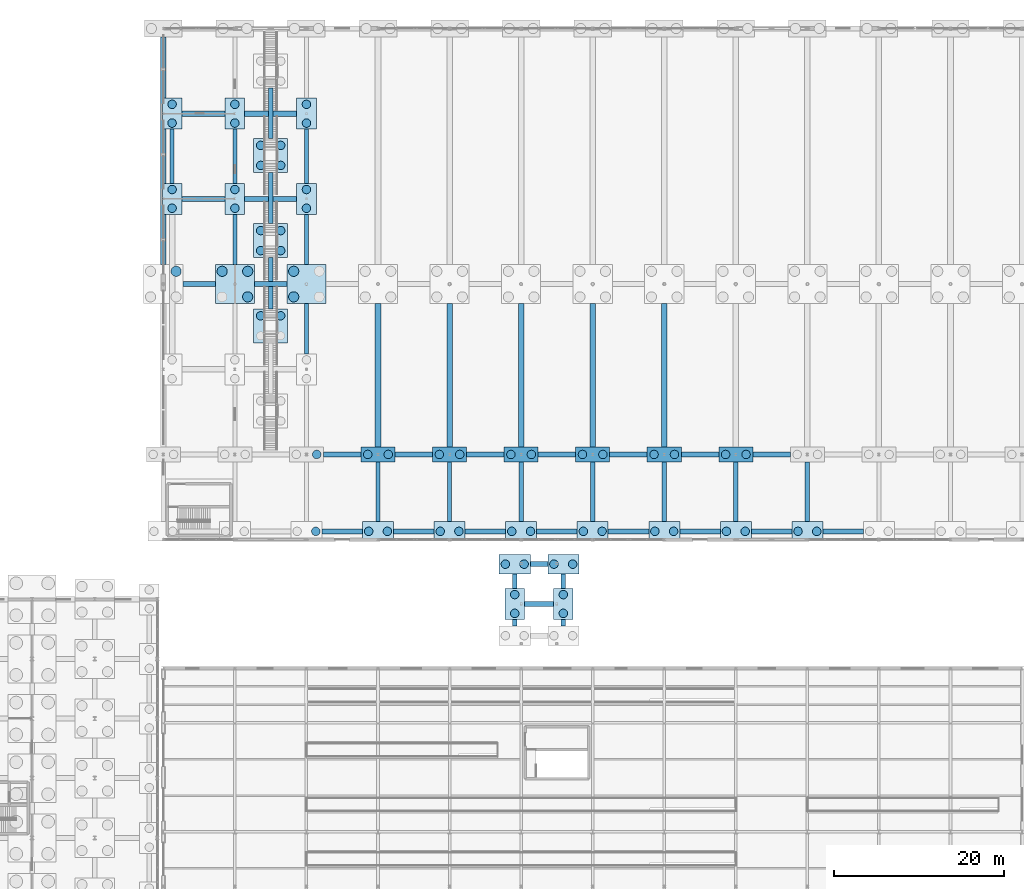
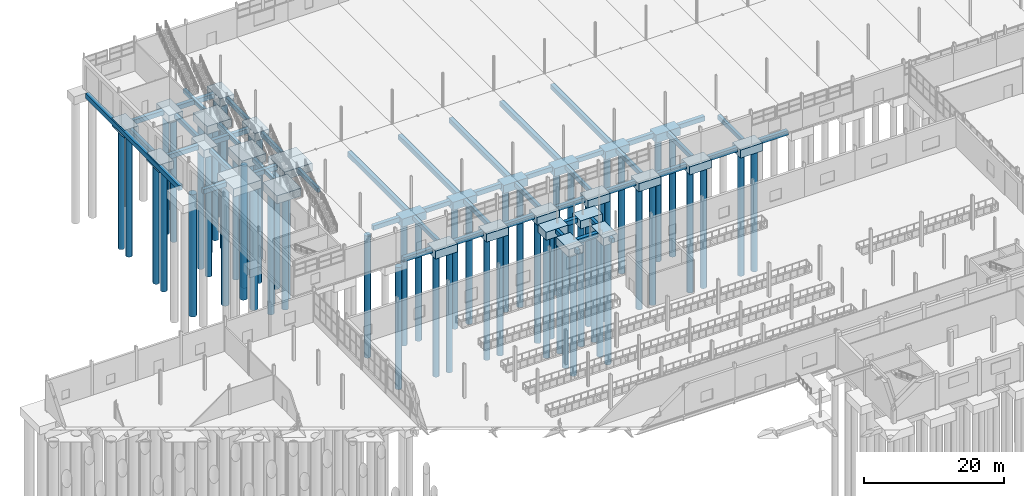
# One storey, part 5 of 139: 77 footings, 64 piles.
"""IFC4 building model written with IfcOpenShell, lengths in metres."""

from ifc_helpers import new_model, si_unit, direction, frame, origin, origin_2d, place, context, subcontext, project, spatial, polyline, rectangle, circle, outline, extrude, material, material_profile, profile_set, type_object, element, save


model = new_model("IFC4")

# Units and contexts
model_context = context("Model", 3, precision=1e-05, world=origin(), true_north=direction((0.0, 1.0)))
body_context = subcontext(model_context, "Body", "Model", "MODEL_VIEW")
ifc_project = project(units=[si_unit("LENGTHUNIT", "METRE"), si_unit("AREAUNIT", "SQUARE_METRE"), si_unit("VOLUMEUNIT", "CUBIC_METRE"), si_unit("PLANEANGLEUNIT", "RADIAN"), si_unit("MASSUNIT", "GRAM", prefix="KILO")], contexts=[model_context])

# Site, building, storey
site_placement = place(None, origin())
site = spatial("IfcSite", under=ifc_project, at=site_placement, CompositionType="ELEMENT")
building_placement = place(site_placement, origin())
building = spatial("IfcBuilding", under=site, at=building_placement, Name="Kazenagashi Tramway Depot", CompositionType="ELEMENT")
storey_placement = place(building_placement, origin())
storey = spatial("IfcBuildingStorey", under=building, at=storey_placement, Name="L01", CompositionType="ELEMENT", Elevation=0.0)

# Piles
ifc_material = material(Name="Concrete Fc30", Category="concrete")
ifc_material_profile_1 = material_profile(ifc_material, circle(Radius=0.5, at=origin_2d()), Name="PILE-1000")
ifc_profile_set_1 = profile_set([ifc_material_profile_1], Name="Concrete Fc30")
pile_type_1 = type_object("IfcPileType", Name="BP-01", PredefinedType="BORED", material=ifc_profile_set_1)
for number, where, z_axis, x_axis, name in (
    (1, (62.7, 70.975, -1.65), (0.0, 0.0, -1.0), (1.0, 0.0, 0.0), "Bored Pile BP-01 PILE-0018"),
    (2, (68.9, 70.975, -1.65), (0.0, 0.0, -1.0), (1.0, 0.0, 0.0), "Bored Pile BP-01 PILE-0025"),
    (3, (71.1, 70.975, -1.65), (0.0, 0.0, -1.0), (1.0, 0.0, 0.0), "Bored Pile BP-01 PILE-0026"),
    (4, (77.3, 70.975, -1.65), (0.0, 0.0, -1.0), (1.0, 0.0, 0.0), "Bored Pile BP-01 PILE-0033"),
    (5, (79.5, 70.975, -1.65), (0.0, 0.0, -1.0), (1.0, 0.0, 0.0), "Bored Pile BP-01 PILE-0034"),
    (6, (85.7, 70.975, -1.65), (0.0, 0.0, -1.0), (1.0, 0.0, 0.0), "Bored Pile BP-01 PILE-0041"),
    (7, (87.9, 70.975, -1.65), (0.0, 0.0, -1.0), (1.0, 0.0, 0.0), "Bored Pile BP-01 PILE-0042"),
    (8, (94.1, 70.975, -1.65), (0.0, 0.0, -1.0), (1.0, 0.0, 0.0), "Bored Pile BP-01 PILE-0049"),
    (9, (96.3, 70.975, -1.65), (0.0, 0.0, -1.0), (1.0, 0.0, 0.0), "Bored Pile BP-01 PILE-0050"),
    (10, (102.5, 70.975, -1.65), (0.0, 0.0, -1.0), (1.0, 0.0, 0.0), "Bored Pile BP-01 PILE-0057"),
    (11, (104.7, 70.975, -1.65), (0.0, 0.0, -1.0), (1.0, 0.0, 0.0), "Bored Pile BP-01 PILE-0058"),
    (12, (110.9, 70.975, -1.65), (0.0, 0.0, -1.0), (1.0, 0.0, 0.0), "Bored Pile BP-01 PILE-0065"),
    (13, (113.1, 70.975, -1.65), (0.0, 0.0, -1.0), (1.0, 0.0, 0.0), "Bored Pile BP-01 PILE-0066"),
    (14, (119.3, 70.975, -1.65), (0.0, 0.0, -1.0), (1.0, 0.0, 0.0), "Bored Pile BP-01 PILE-0073"),
    (15, (121.5, 70.975, -1.65), (0.0, 0.0, -1.0), (1.0, 0.0, 0.0), "Bored Pile BP-01 PILE-0074"),
    (16, (62.8, 80.0, -1.65), (0.0, 0.0, -1.0), (1.0, 0.0, 0.0), "Bored Pile BP-01 PILE-0158"),
    (17, (68.8, 80.0, -1.65), (0.0, 0.0, -1.0), (1.0, 0.0, 0.0), "Bored Pile BP-01 PILE-0159"),
    (18, (71.2, 80.0, -1.65), (0.0, 0.0, -1.0), (1.0, 0.0, 0.0), "Bored Pile BP-01 PILE-0160"),
    (19, (77.2, 80.0, -1.65), (0.0, 0.0, -1.0), (1.0, 0.0, 0.0), "Bored Pile BP-01 PILE-0161"),
    (20, (79.6, 80.0, -1.65), (0.0, 0.0, -1.0), (1.0, 0.0, 0.0), "Bored Pile BP-01 PILE-0162"),
    (21, (85.6, 80.0, -1.65), (0.0, 0.0, -1.0), (1.0, 0.0, 0.0), "Bored Pile BP-01 PILE-0163"),
    (22, (88.0, 80.0, -1.65), (0.0, 0.0, -1.0), (1.0, 0.0, 0.0), "Bored Pile BP-01 PILE-0164"),
    (23, (94.0, 80.0, -1.65), (0.0, 0.0, -1.0), (1.0, 0.0, 0.0), "Bored Pile BP-01 PILE-0165"),
    (24, (96.4, 80.0, -1.65), (0.0, 0.0, -1.0), (1.0, 0.0, 0.0), "Bored Pile BP-01 PILE-0166"),
    (25, (102.4, 80.0, -1.65), (0.0, 0.0, -1.0), (1.0, 0.0, 0.0), "Bored Pile BP-01 PILE-0167"),
    (26, (104.8, 80.0, -1.65), (0.0, 0.0, -1.0), (1.0, 0.0, 0.0), "Bored Pile BP-01 PILE-0168"),
    (27, (110.8, 80.0, -1.65), (0.0, 0.0, -1.0), (1.0, 0.0, 0.0), "Bored Pile BP-01 PILE-0169"),
    (28, (113.2, 80.0, -1.65), (0.0, 0.0, -1.0), (1.0, 0.0, 0.0), "Bored Pile BP-01 PILE-0170"),
    (29, (45.825, 108.9, -1.65), (0.0, 0.0, -1.0), (1.0, 0.0, 0.0), "Bored Pile BP-01 PILE-0197"),
    (30, (45.825, 111.1, -1.65), (0.0, 0.0, -1.0), (1.0, 0.0, 0.0), "Bored Pile BP-01 PILE-0198"),
    (31, (53.2, 108.9, -1.65), (0.0, 0.0, -1.0), (1.0, 0.0, 0.0), "Bored Pile BP-01 PILE-0199"),
    (32, (53.2, 111.1, -1.65), (0.0, 0.0, -1.0), (1.0, 0.0, 0.0), "Bored Pile BP-01 PILE-0200"),
    (33, (61.6, 108.9, -1.65), (0.0, 0.0, -1.0), (1.0, 0.0, 0.0), "Bored Pile BP-01 PILE-0201"),
    (34, (61.6, 111.1, -1.65), (0.0, 0.0, -1.0), (1.0, 0.0, 0.0), "Bored Pile BP-01 PILE-0202"),
    (35, (45.825, 118.9, -1.65), (0.0, 0.0, -1.0), (1.0, 0.0, 0.0), "Bored Pile BP-01 PILE-0203"),
    (36, (45.825, 121.1, -1.65), (0.0, 0.0, -1.0), (1.0, 0.0, 0.0), "Bored Pile BP-01 PILE-0204"),
    (37, (53.2, 118.9, -1.65), (0.0, 0.0, -1.0), (1.0, 0.0, 0.0), "Bored Pile BP-01 PILE-0205"),
    (38, (53.2, 121.1, -1.65), (0.0, 0.0, -1.0), (1.0, 0.0, 0.0), "Bored Pile BP-01 PILE-0206"),
    (39, (61.6, 118.9, -1.65), (0.0, 0.0, -1.0), (1.0, 0.0, 0.0), "Bored Pile BP-01 PILE-0207"),
    (40, (61.6, 121.1, -1.65), (0.0, 0.0, -1.0), (1.0, 0.0, 0.0), "Bored Pile BP-01 PILE-0208"),
    (41, (86.05, 61.35, -1.65), (0.0, 0.0, -1.0), (1.0, 0.0, 0.0), "Bored Pile BP-01 PILE-1021"),
    (42, (86.05, 63.55, -1.65), (0.0, 0.0, -1.0), (1.0, 0.0, 0.0), "Bored Pile BP-01 PILE-1022"),
    (43, (84.95, 67.125, -1.65), (0.0, 0.0, -1.0), (1.0, 0.0, 0.0), "Bored Pile BP-01 PILE-1023"),
    (44, (87.15, 67.125, -1.65), (0.0, 0.0, -1.0), (1.0, 0.0, 0.0), "Bored Pile BP-01 PILE-1024"),
    (45, (91.75, 61.35, -1.65), (0.0, 0.0, -1.0), (1.0, 0.0, 0.0), "Bored Pile BP-01 PILE-1027"),
    (46, (91.75, 63.55, -1.65), (0.0, 0.0, -1.0), (1.0, 0.0, 0.0), "Bored Pile BP-01 PILE-1028"),
    (47, (90.65, 67.125, -1.65), (0.0, 0.0, -1.0), (1.0, 0.0, 0.0), "Bored Pile BP-01 PILE-1029"),
    (48, (92.85, 67.125, -1.65), (0.0, 0.0, -1.0), (1.0, 0.0, 0.0), "Bored Pile BP-01 PILE-1030"),
    (49, (56.225, 96.28, -1.65), (0.0, 0.0, -1.0), (1.0, 0.0, 0.0), "Bored Pile BP-01 PILE-1037"),
    (50, (58.575, 96.28, -1.65), (0.0, 0.0, -1.0), (1.0, 0.0, 0.0), "Bored Pile BP-01 PILE-1038"),
    (51, (56.225, 103.93, -1.65), (0.0, 0.0, -1.0), (1.0, 0.0, 0.0), "Bored Pile BP-01 PILE-1039"),
    (52, (58.575, 103.93, -1.65), (0.0, 0.0, -1.0), (1.0, 0.0, 0.0), "Bored Pile BP-01 PILE-1040"),
    (53, (56.225, 106.28, -1.65), (0.0, 0.0, -1.0), (1.0, 0.0, 0.0), "Bored Pile BP-01 PILE-1041"),
    (54, (58.575, 106.28, -1.65), (0.0, 0.0, -1.0), (1.0, 0.0, 0.0), "Bored Pile BP-01 PILE-1042"),
    (55, (56.225, 113.93, -1.65), (0.0, 0.0, -1.0), (1.0, 0.0, 0.0), "Bored Pile BP-01 PILE-1043"),
    (56, (58.575, 113.93, -1.65), (0.0, 0.0, -1.0), (1.0, 0.0, 0.0), "Bored Pile BP-01 PILE-1044"),
    (57, (56.225, 116.28, -1.65), (0.0, 0.0, -1.0), (1.0, 0.0, 0.0), "Bored Pile BP-01 PILE-1045"),
    (58, (58.575, 116.28, -1.65), (0.0, 0.0, -1.0), (1.0, 0.0, 0.0), "Bored Pile BP-01 PILE-1046"),
):
    element("IfcPile", number, at=place(storey_placement, frame(where, z_axis=z_axis, x_axis=x_axis)), inside=storey, type_object=pile_type_1, Name=name, PredefinedType="BORED", context=body_context, shape_type="SweptSolid", body=[
        extrude(circle(Radius=0.5, at=origin_2d()), origin(), (0.0, 0.0, 1.0), 21.35),
    ])
ifc_material_profile_2 = material_profile(ifc_material, circle(Radius=0.6, at=origin_2d()), Name="PILE-1200")
ifc_profile_set_2 = profile_set([ifc_material_profile_2], Name="Concrete Fc30")
pile_type_2 = type_object("IfcPileType", Name="BP-02", PredefinedType="BORED", material=ifc_profile_set_2)
for number, where, z_axis, x_axis, name in (
    (59, (46.3, 101.5, -1.65), (0.0, 0.0, -1.0), (1.0, 0.0, 0.0), "Bored Pile BP-02 PILE-0006"),
    (60, (54.7, 98.5, -1.65), (0.0, 0.0, -1.0), (1.0, 0.0, 0.0), "Bored Pile BP-02 PILE-0012"),
    (61, (51.7, 101.5, -1.65), (0.0, 0.0, -1.0), (1.0, 0.0, 0.0), "Bored Pile BP-02 PILE-0013"),
    (62, (54.7, 101.5, -1.65), (0.0, 0.0, -1.0), (1.0, 0.0, 0.0), "Bored Pile BP-02 PILE-0014"),
    (63, (60.1, 98.5, -1.65), (0.0, 0.0, -1.0), (1.0, 0.0, 0.0), "Bored Pile BP-02 PILE-0019"),
    (64, (60.1, 101.5, -1.65), (0.0, 0.0, -1.0), (1.0, 0.0, 0.0), "Bored Pile BP-02 PILE-0021"),
):
    element("IfcPile", number, at=place(storey_placement, frame(where, z_axis=z_axis, x_axis=x_axis)), inside=storey, type_object=pile_type_2, Name=name, PredefinedType="BORED", context=body_context, shape_type="SweptSolid", body=[
        extrude(circle(Radius=0.6, at=origin_2d()), origin(), (0.0, 0.0, 1.0), 21.35),
    ])

# Footings
footing_type_1 = type_object("IfcFootingType", Name="FB-01", PredefinedType="FOOTING_BEAM", material=ifc_material)
footing_1_placement = place(storey_placement, frame((0.0, 0.0, -1.15)))
element("IfcFooting", 65, at=footing_1_placement, inside=storey, type_object=footing_type_1, Name="Footing Tie Beam FB-0129", PredefinedType="FOOTING_BEAM", context=body_context, shape_type="SweptSolid", body=[
    extrude(outline(polyline([(87.2, 62.15), (90.6, 62.15), (90.6, 62.75), (87.2, 62.75), (87.2, 62.15)])), origin(), (0.0, 0.0, 1.0), 0.8),
])
footing_2_placement = place(storey_placement, frame((0.0, 0.0, -1.15)))
element("IfcFooting", 66, at=footing_2_placement, inside=storey, type_object=footing_type_1, Name="Footing Tie Beam FB-0136", PredefinedType="FOOTING_BEAM", context=body_context, shape_type="SweptSolid", body=[
    extrude(outline(polyline([(87.87, 66.825), (89.93, 66.825), (89.93, 67.425), (87.87, 67.425), (87.87, 66.825)])), origin(), (0.0, 0.0, 1.0), 0.8),
])
footing_3_placement = place(storey_placement, frame((0.0, 0.0, -1.15)))
element("IfcFooting", 67, at=footing_3_placement, inside=storey, type_object=footing_type_1, Name="Footing Tie Beam FB-0145", PredefinedType="FOOTING_BEAM", context=body_context, shape_type="SweptSolid", body=[
    extrude(outline(polyline([(63.42, 70.675), (68.18, 70.675), (68.18, 71.275), (63.42, 71.275), (63.42, 70.675)])), origin(), (0.0, 0.0, 1.0), 0.8),
])
footing_4_placement = place(storey_placement, frame((0.0, 0.0, -1.15)))
element("IfcFooting", 68, at=footing_4_placement, inside=storey, type_object=footing_type_1, Name="Footing Tie Beam FB-0146", PredefinedType="FOOTING_BEAM", context=body_context, shape_type="SweptSolid", body=[
    extrude(outline(polyline([(71.82, 70.675), (76.58, 70.675), (76.58, 71.275), (71.82, 71.275), (71.82, 70.675)])), origin(), (0.0, 0.0, 1.0), 0.8),
])
footing_5_placement = place(storey_placement, frame((0.0, 0.0, -1.15)))
element("IfcFooting", 69, at=footing_5_placement, inside=storey, type_object=footing_type_1, Name="Footing Tie Beam FB-0147", PredefinedType="FOOTING_BEAM", context=body_context, shape_type="SweptSolid", body=[
    extrude(outline(polyline([(80.22, 70.675), (84.98, 70.675), (84.98, 71.275), (80.22, 71.275), (80.22, 70.675)])), origin(), (0.0, 0.0, 1.0), 0.8),
])
footing_6_placement = place(storey_placement, frame((0.0, 0.0, -1.15)))
element("IfcFooting", 70, at=footing_6_placement, inside=storey, type_object=footing_type_1, Name="Footing Tie Beam FB-0148", PredefinedType="FOOTING_BEAM", context=body_context, shape_type="SweptSolid", body=[
    extrude(outline(polyline([(88.62, 70.675), (93.38, 70.675), (93.38, 71.275), (88.62, 71.275), (88.62, 70.675)])), origin(), (0.0, 0.0, 1.0), 0.8),
])
footing_7_placement = place(storey_placement, frame((0.0, 0.0, -1.15)))
element("IfcFooting", 71, at=footing_7_placement, inside=storey, type_object=footing_type_1, Name="Footing Tie Beam FB-0149", PredefinedType="FOOTING_BEAM", context=body_context, shape_type="SweptSolid", body=[
    extrude(outline(polyline([(97.02, 70.675), (101.78, 70.675), (101.78, 71.275), (97.02, 71.275), (97.02, 70.675)])), origin(), (0.0, 0.0, 1.0), 0.8),
])
footing_8_placement = place(storey_placement, frame((0.0, 0.0, -1.15)))
element("IfcFooting", 72, at=footing_8_placement, inside=storey, type_object=footing_type_1, Name="Footing Tie Beam FB-0150", PredefinedType="FOOTING_BEAM", context=body_context, shape_type="SweptSolid", body=[
    extrude(outline(polyline([(105.42, 70.675), (110.18, 70.675), (110.18, 71.275), (105.42, 71.275), (105.42, 70.675)])), origin(), (0.0, 0.0, 1.0), 0.8),
])
footing_9_placement = place(storey_placement, frame((0.0, 0.0, -1.15)))
element("IfcFooting", 73, at=footing_9_placement, inside=storey, type_object=footing_type_1, Name="Footing Tie Beam FB-0151", PredefinedType="FOOTING_BEAM", context=body_context, shape_type="SweptSolid", body=[
    extrude(outline(polyline([(113.82, 70.675), (118.58, 70.675), (118.58, 71.275), (113.82, 71.275), (113.82, 70.675)])), origin(), (0.0, 0.0, 1.0), 0.8),
])
footing_10_placement = place(storey_placement, frame((0.0, 0.0, -1.15)))
element("IfcFooting", 74, at=footing_10_placement, inside=storey, type_object=footing_type_1, Name="Footing Tie Beam FB-0152", PredefinedType="FOOTING_BEAM", context=body_context, shape_type="SweptSolid", body=[
    extrude(outline(polyline([(122.22, 70.675), (126.98, 70.675), (126.98, 71.275), (122.22, 71.275), (122.22, 70.675)])), origin(), (0.0, 0.0, 1.0), 0.8),
])
footing_11_placement = place(storey_placement, frame((0.0, 0.0, -1.15)))
element("IfcFooting", 75, at=footing_11_placement, inside=storey, type_object=footing_type_1, Name="Footing Tie Beam FB-0163", PredefinedType="FOOTING_BEAM", context=body_context, shape_type="SweptSolid", body=[
    extrude(outline(polyline([(63.6, 79.7), (68.0, 79.7), (68.0, 80.3), (63.6, 80.3), (63.6, 79.7)])), origin(), (0.0, 0.0, 1.0), 0.8),
])
footing_12_placement = place(storey_placement, frame((0.0, 0.0, -1.15)))
element("IfcFooting", 76, at=footing_12_placement, inside=storey, type_object=footing_type_1, Name="Footing Tie Beam FB-0164", PredefinedType="FOOTING_BEAM", context=body_context, shape_type="SweptSolid", body=[
    extrude(outline(polyline([(72.0, 79.7), (76.4, 79.7), (76.4, 80.3), (72.0, 80.3), (72.0, 79.7)])), origin(), (0.0, 0.0, 1.0), 0.8),
])
footing_13_placement = place(storey_placement, frame((0.0, 0.0, -1.15)))
element("IfcFooting", 77, at=footing_13_placement, inside=storey, type_object=footing_type_1, Name="Footing Tie Beam FB-0165", PredefinedType="FOOTING_BEAM", context=body_context, shape_type="SweptSolid", body=[
    extrude(outline(polyline([(80.4, 79.7), (84.8, 79.7), (84.8, 80.3), (80.4, 80.3), (80.4, 79.7)])), origin(), (0.0, 0.0, 1.0), 0.8),
])
footing_14_placement = place(storey_placement, frame((0.0, 0.0, -1.15)))
element("IfcFooting", 78, at=footing_14_placement, inside=storey, type_object=footing_type_1, Name="Footing Tie Beam FB-0166", PredefinedType="FOOTING_BEAM", context=body_context, shape_type="SweptSolid", body=[
    extrude(outline(polyline([(88.8, 79.7), (93.2, 79.7), (93.2, 80.3), (88.8, 80.3), (88.8, 79.7)])), origin(), (0.0, 0.0, 1.0), 0.8),
])
footing_15_placement = place(storey_placement, frame((0.0, 0.0, -1.15)))
element("IfcFooting", 79, at=footing_15_placement, inside=storey, type_object=footing_type_1, Name="Footing Tie Beam FB-0167", PredefinedType="FOOTING_BEAM", context=body_context, shape_type="SweptSolid", body=[
    extrude(outline(polyline([(97.2, 79.7), (101.6, 79.7), (101.6, 80.3), (97.2, 80.3), (97.2, 79.7)])), origin(), (0.0, 0.0, 1.0), 0.8),
])
footing_16_placement = place(storey_placement, frame((0.0, 0.0, -1.15)))
element("IfcFooting", 80, at=footing_16_placement, inside=storey, type_object=footing_type_1, Name="Footing Tie Beam FB-0168", PredefinedType="FOOTING_BEAM", context=body_context, shape_type="SweptSolid", body=[
    extrude(outline(polyline([(105.6, 79.7), (110.0, 79.7), (110.0, 80.3), (105.6, 80.3), (105.6, 79.7)])), origin(), (0.0, 0.0, 1.0), 0.8),
])
footing_17_placement = place(storey_placement, frame((0.0, 0.0, -1.15)))
element("IfcFooting", 81, at=footing_17_placement, inside=storey, type_object=footing_type_1, Name="Footing Tie Beam FB-0169", PredefinedType="FOOTING_BEAM", context=body_context, shape_type="SweptSolid", body=[
    extrude(outline(polyline([(114.0, 79.7), (118.4, 79.7), (118.4, 80.3), (114.0, 80.3), (114.0, 79.7)])), origin(), (0.0, 0.0, 1.0), 0.8),
])
footing_18_placement = place(storey_placement, frame((0.0, 0.0, -1.15)))
element("IfcFooting", 82, at=footing_18_placement, inside=storey, type_object=footing_type_1, Name="Footing Tie Beam FB-0181", PredefinedType="FOOTING_BEAM", context=body_context, shape_type="SweptSolid", body=[
    extrude(outline(polyline([(47.1, 99.7), (50.9, 99.7), (50.9, 100.3), (47.1, 100.3), (47.1, 99.7)])), origin(), (0.0, 0.0, 1.0), 0.8),
])
footing_19_placement = place(storey_placement, frame((0.0, 0.0, -1.15)))
element("IfcFooting", 83, at=footing_19_placement, inside=storey, type_object=footing_type_1, Name="Footing Tie Beam FB-0182", PredefinedType="FOOTING_BEAM", context=body_context, shape_type="SweptSolid", body=[
    extrude(outline(polyline([(55.5, 99.7), (59.3, 99.7), (59.3, 100.3), (55.5, 100.3), (55.5, 99.7)])), origin(), (0.0, 0.0, 1.0), 0.8),
])
footing_20_placement = place(storey_placement, frame((0.0, 0.0, -1.15)))
element("IfcFooting", 84, at=footing_20_placement, inside=storey, type_object=footing_type_1, Name="Footing Tie Beam FB-0199", PredefinedType="FOOTING_BEAM", context=body_context, shape_type="SweptSolid", body=[
    extrude(outline(polyline([(46.975, 109.7), (52.05, 109.7), (52.05, 110.3), (46.975, 110.3), (46.975, 109.7)])), origin(), (0.0, 0.0, 1.0), 0.8),
])
footing_21_placement = place(storey_placement, frame((0.0, 0.0, -1.15)))
element("IfcFooting", 85, at=footing_21_placement, inside=storey, type_object=footing_type_1, Name="Footing Tie Beam FB-0200", PredefinedType="FOOTING_BEAM", context=body_context, shape_type="SweptSolid", body=[
    extrude(outline(polyline([(54.35, 109.7), (60.45, 109.7), (60.45, 110.3), (54.35, 110.3), (54.35, 109.7)])), origin(), (0.0, 0.0, 1.0), 0.8),
])
footing_22_placement = place(storey_placement, frame((0.0, 0.0, -1.15)))
element("IfcFooting", 86, at=footing_22_placement, inside=storey, type_object=footing_type_1, Name="Footing Tie Beam FB-0201", PredefinedType="FOOTING_BEAM", context=body_context, shape_type="SweptSolid", body=[
    extrude(outline(polyline([(46.975, 119.7), (52.05, 119.7), (52.05, 120.3), (46.975, 120.3), (46.975, 119.7)])), origin(), (0.0, 0.0, 1.0), 0.8),
])
footing_23_placement = place(storey_placement, frame((0.0, 0.0, -1.15)))
element("IfcFooting", 87, at=footing_23_placement, inside=storey, type_object=footing_type_1, Name="Footing Tie Beam FB-0202", PredefinedType="FOOTING_BEAM", context=body_context, shape_type="SweptSolid", body=[
    extrude(outline(polyline([(54.35, 119.7), (60.45, 119.7), (60.45, 120.3), (54.35, 120.3), (54.35, 119.7)])), origin(), (0.0, 0.0, 1.0), 0.8),
])
footing_type_2 = type_object("IfcFootingType", Name="FB-03", PredefinedType="FOOTING_BEAM", material=ifc_material)
footing_24_placement = place(storey_placement, frame((0.0, 0.0, -1.1)))
element("IfcFooting", 88, at=footing_24_placement, inside=storey, type_object=footing_type_2, Name="Footing Tie Beam FB-0283", PredefinedType="FOOTING_BEAM", context=body_context, shape_type="SweptSolid", body=[
    extrude(outline(polyline([(45.575, 111.82), (46.075, 111.82), (46.075, 118.18), (45.575, 118.18), (45.575, 111.82)])), origin(), (0.0, 0.0, 1.0), 0.75),
])
footing_25_placement = place(storey_placement, frame((0.0, 0.0, -1.1)))
element("IfcFooting", 89, at=footing_25_placement, inside=storey, type_object=footing_type_2, Name="Footing Tie Beam FB-0288", PredefinedType="FOOTING_BEAM", context=body_context, shape_type="SweptSolid", body=[
    extrude(outline(polyline([(52.95, 102.3), (53.45, 102.3), (53.45, 108.18), (52.95, 108.18), (52.95, 102.3)])), origin(), (0.0, 0.0, 1.0), 0.75),
])
footing_26_placement = place(storey_placement, frame((0.0, 0.0, -1.1)))
element("IfcFooting", 90, at=footing_26_placement, inside=storey, type_object=footing_type_2, Name="Footing Tie Beam FB-0289", PredefinedType="FOOTING_BEAM", context=body_context, shape_type="SweptSolid", body=[
    extrude(outline(polyline([(52.95, 111.82), (53.45, 111.82), (53.45, 118.18), (52.95, 118.18), (52.95, 111.82)])), origin(), (0.0, 0.0, 1.0), 0.75),
])
footing_27_placement = place(storey_placement, frame((0.0, 0.0, -1.1)))
element("IfcFooting", 91, at=footing_27_placement, inside=storey, type_object=footing_type_2, Name="Footing Tie Beam FB-0292", PredefinedType="FOOTING_BEAM", context=body_context, shape_type="SweptSolid", body=[
    extrude(outline(polyline([(57.15, 97.105), (57.65, 97.105), (57.65, 103.105), (57.15, 103.105), (57.15, 97.105)])), origin(), (0.0, 0.0, 1.0), 0.75),
])
footing_28_placement = place(storey_placement, frame((0.0, 0.0, -1.1)))
element("IfcFooting", 92, at=footing_28_placement, inside=storey, type_object=footing_type_2, Name="Footing Tie Beam FB-0293", PredefinedType="FOOTING_BEAM", context=body_context, shape_type="SweptSolid", body=[
    extrude(outline(polyline([(57.15, 107.105), (57.65, 107.105), (57.65, 113.105), (57.15, 113.105), (57.15, 107.105)])), origin(), (0.0, 0.0, 1.0), 0.75),
])
footing_29_placement = place(storey_placement, frame((0.0, 0.0, -1.1)))
element("IfcFooting", 93, at=footing_29_placement, inside=storey, type_object=footing_type_2, Name="Footing Tie Beam FB-0294", PredefinedType="FOOTING_BEAM", context=body_context, shape_type="SweptSolid", body=[
    extrude(outline(polyline([(57.15, 117.105), (57.65, 117.105), (57.65, 123.005), (57.15, 123.005), (57.15, 117.105)])), origin(), (0.0, 0.0, 1.0), 0.75),
])
footing_30_placement = place(storey_placement, frame((0.0, 0.0, -1.1)))
element("IfcFooting", 94, at=footing_30_placement, inside=storey, type_object=footing_type_2, Name="Footing Tie Beam FB-0298", PredefinedType="FOOTING_BEAM", context=body_context, shape_type="SweptSolid", body=[
    extrude(outline(polyline([(61.35, 91.82), (61.85, 91.82), (61.85, 97.7), (61.35, 97.7), (61.35, 91.82)])), origin(), (0.0, 0.0, 1.0), 0.75),
])
footing_31_placement = place(storey_placement, frame((0.0, 0.0, -1.1)))
element("IfcFooting", 95, at=footing_31_placement, inside=storey, type_object=footing_type_2, Name="Footing Tie Beam FB-0299", PredefinedType="FOOTING_BEAM", context=body_context, shape_type="SweptSolid", body=[
    extrude(outline(polyline([(61.35, 102.3), (61.85, 102.3), (61.85, 108.18), (61.35, 108.18), (61.35, 102.3)])), origin(), (0.0, 0.0, 1.0), 0.75),
])
footing_32_placement = place(storey_placement, frame((0.0, 0.0, -1.1)))
element("IfcFooting", 96, at=footing_32_placement, inside=storey, type_object=footing_type_2, Name="Footing Tie Beam FB-0300", PredefinedType="FOOTING_BEAM", context=body_context, shape_type="SweptSolid", body=[
    extrude(outline(polyline([(61.35, 111.82), (61.85, 111.82), (61.85, 118.18), (61.35, 118.18), (61.35, 111.82)])), origin(), (0.0, 0.0, 1.0), 0.75),
])
footing_33_placement = place(storey_placement, frame((0.0, 0.0, -1.1)))
element("IfcFooting", 97, at=footing_33_placement, inside=storey, type_object=footing_type_2, Name="Footing Tie Beam FB-0303", PredefinedType="FOOTING_BEAM", context=body_context, shape_type="SweptSolid", body=[
    extrude(outline(polyline([(69.75, 72.125), (70.25, 72.125), (70.25, 79.1), (69.75, 79.1), (69.75, 72.125)])), origin(), (0.0, 0.0, 1.0), 0.75),
])
footing_34_placement = place(storey_placement, frame((0.0, 0.0, -1.1)))
element("IfcFooting", 98, at=footing_34_placement, inside=storey, type_object=footing_type_2, Name="Footing Tie Beam FB-0307", PredefinedType="FOOTING_BEAM", context=body_context, shape_type="SweptSolid", body=[
    extrude(outline(polyline([(78.15, 72.125), (78.65, 72.125), (78.65, 79.1), (78.15, 79.1), (78.15, 72.125)])), origin(), (0.0, 0.0, 1.0), 0.75),
])
footing_35_placement = place(storey_placement, frame((0.0, 0.0, -1.1)))
element("IfcFooting", 99, at=footing_35_placement, inside=storey, type_object=footing_type_2, Name="Footing Tie Beam FB-0310", PredefinedType="FOOTING_BEAM", context=body_context, shape_type="SweptSolid", body=[
    extrude(outline(polyline([(85.8, 59.875), (86.3, 59.875), (86.3, 60.63), (85.8, 60.63), (85.8, 59.875)])), origin(), (0.0, 0.0, 1.0), 0.75),
])
footing_36_placement = place(storey_placement, frame((0.0, 0.0, -1.1)))
element("IfcFooting", 100, at=footing_36_placement, inside=storey, type_object=footing_type_2, Name="Footing Tie Beam FB-0311", PredefinedType="FOOTING_BEAM", context=body_context, shape_type="SweptSolid", body=[
    extrude(outline(polyline([(85.8, 64.27), (86.3, 64.27), (86.3, 65.975), (85.8, 65.975), (85.8, 64.27)])), origin(), (0.0, 0.0, 1.0), 0.75),
])
footing_37_placement = place(storey_placement, frame((0.0, 0.0, -1.1)))
element("IfcFooting", 101, at=footing_37_placement, inside=storey, type_object=footing_type_2, Name="Footing Tie Beam FB-0313", PredefinedType="FOOTING_BEAM", context=body_context, shape_type="SweptSolid", body=[
    extrude(outline(polyline([(86.55, 72.125), (87.05, 72.125), (87.05, 79.1), (86.55, 79.1), (86.55, 72.125)])), origin(), (0.0, 0.0, 1.0), 0.75),
])
footing_38_placement = place(storey_placement, frame((0.0, 0.0, -1.1)))
element("IfcFooting", 102, at=footing_38_placement, inside=storey, type_object=footing_type_2, Name="Footing Tie Beam FB-0316", PredefinedType="FOOTING_BEAM", context=body_context, shape_type="SweptSolid", body=[
    extrude(outline(polyline([(91.5, 59.875), (92.0, 59.875), (92.0, 60.63), (91.5, 60.63), (91.5, 59.875)])), origin(), (0.0, 0.0, 1.0), 0.75),
])
footing_39_placement = place(storey_placement, frame((0.0, 0.0, -1.1)))
element("IfcFooting", 103, at=footing_39_placement, inside=storey, type_object=footing_type_2, Name="Footing Tie Beam FB-0317", PredefinedType="FOOTING_BEAM", context=body_context, shape_type="SweptSolid", body=[
    extrude(outline(polyline([(91.5, 64.27), (92.0, 64.27), (92.0, 65.975), (91.5, 65.975), (91.5, 64.27)])), origin(), (0.0, 0.0, 1.0), 0.75),
])
footing_40_placement = place(storey_placement, frame((0.0, 0.0, -1.1)))
element("IfcFooting", 104, at=footing_40_placement, inside=storey, type_object=footing_type_2, Name="Footing Tie Beam FB-0319", PredefinedType="FOOTING_BEAM", context=body_context, shape_type="SweptSolid", body=[
    extrude(outline(polyline([(94.95, 72.125), (95.45, 72.125), (95.45, 79.1), (94.95, 79.1), (94.95, 72.125)])), origin(), (0.0, 0.0, 1.0), 0.75),
])
footing_41_placement = place(storey_placement, frame((0.0, 0.0, -1.1)))
element("IfcFooting", 105, at=footing_41_placement, inside=storey, type_object=footing_type_2, Name="Footing Tie Beam FB-0324", PredefinedType="FOOTING_BEAM", context=body_context, shape_type="SweptSolid", body=[
    extrude(outline(polyline([(103.35, 72.125), (103.85, 72.125), (103.85, 79.1), (103.35, 79.1), (103.35, 72.125)])), origin(), (0.0, 0.0, 1.0), 0.75),
])
footing_42_placement = place(storey_placement, frame((0.0, 0.0, -1.1)))
element("IfcFooting", 106, at=footing_42_placement, inside=storey, type_object=footing_type_2, Name="Footing Tie Beam FB-0329", PredefinedType="FOOTING_BEAM", context=body_context, shape_type="SweptSolid", body=[
    extrude(outline(polyline([(111.75, 72.125), (112.25, 72.125), (112.25, 79.1), (111.75, 79.1), (111.75, 72.125)])), origin(), (0.0, 0.0, 1.0), 0.75),
])
footing_43_placement = place(storey_placement, frame((0.0, 0.0, -1.1)))
element("IfcFooting", 107, at=footing_43_placement, inside=storey, type_object=footing_type_2, Name="Footing Tie Beam FB-0334", PredefinedType="FOOTING_BEAM", context=body_context, shape_type="SweptSolid", body=[
    extrude(outline(polyline([(120.15, 72.125), (120.65, 72.125), (120.65, 79.1), (120.15, 79.1), (120.15, 72.125)])), origin(), (0.0, 0.0, 1.0), 0.75),
])
footing_type_3 = type_object("IfcFootingType", Name="FB-04", PredefinedType="FOOTING_BEAM", material=ifc_material)
footing_44_placement = place(storey_placement, frame((0.0, 0.0, -1.2)))
element("IfcFooting", 108, at=footing_44_placement, inside=storey, type_object=footing_type_3, Name="Footing Tie Beam FB-0280", PredefinedType="FOOTING_BEAM", context=body_context, shape_type="SweptSolid", body=[
    extrude(outline(polyline([(44.475, 102.3), (45.125, 102.3), (45.125, 129.0), (44.475, 129.0), (44.475, 102.3)])), origin(), (0.0, 0.0, 1.0), 0.85),
])
footing_45_placement = place(storey_placement, frame((0.0, 0.0, -1.2)))
element("IfcFooting", 109, at=footing_45_placement, inside=storey, type_object=footing_type_3, Name="Footing Tie Beam FB-0304", PredefinedType="FOOTING_BEAM", context=body_context, shape_type="SweptSolid", body=[
    extrude(outline(polyline([(69.675, 80.9), (70.325, 80.9), (70.325, 97.7), (69.675, 97.7), (69.675, 80.9)])), origin(), (0.0, 0.0, 1.0), 0.85),
])
footing_46_placement = place(storey_placement, frame((0.0, 0.0, -1.2)))
element("IfcFooting", 110, at=footing_46_placement, inside=storey, type_object=footing_type_3, Name="Footing Tie Beam FB-0308", PredefinedType="FOOTING_BEAM", context=body_context, shape_type="SweptSolid", body=[
    extrude(outline(polyline([(78.075, 80.9), (78.725, 80.9), (78.725, 97.7), (78.075, 97.7), (78.075, 80.9)])), origin(), (0.0, 0.0, 1.0), 0.85),
])
footing_47_placement = place(storey_placement, frame((0.0, 0.0, -1.2)))
element("IfcFooting", 111, at=footing_47_placement, inside=storey, type_object=footing_type_3, Name="Footing Tie Beam FB-0314", PredefinedType="FOOTING_BEAM", context=body_context, shape_type="SweptSolid", body=[
    extrude(outline(polyline([(86.475, 80.9), (87.125, 80.9), (87.125, 97.7), (86.475, 97.7), (86.475, 80.9)])), origin(), (0.0, 0.0, 1.0), 0.85),
])
footing_48_placement = place(storey_placement, frame((0.0, 0.0, -1.2)))
element("IfcFooting", 112, at=footing_48_placement, inside=storey, type_object=footing_type_3, Name="Footing Tie Beam FB-0320", PredefinedType="FOOTING_BEAM", context=body_context, shape_type="SweptSolid", body=[
    extrude(outline(polyline([(94.875, 80.9), (95.525, 80.9), (95.525, 97.7), (94.875, 97.7), (94.875, 80.9)])), origin(), (0.0, 0.0, 1.0), 0.85),
])
footing_49_placement = place(storey_placement, frame((0.0, 0.0, -1.2)))
element("IfcFooting", 113, at=footing_49_placement, inside=storey, type_object=footing_type_3, Name="Footing Tie Beam FB-0325", PredefinedType="FOOTING_BEAM", context=body_context, shape_type="SweptSolid", body=[
    extrude(outline(polyline([(103.275, 80.9), (103.925, 80.9), (103.925, 97.7), (103.275, 97.7), (103.275, 80.9)])), origin(), (0.0, 0.0, 1.0), 0.85),
])
footing_type_4 = type_object("IfcFootingType", Name="PC-01", PredefinedType="PILE_CAP", material=ifc_material)
for number, where, z_axis, x_axis, name in (
    (114, (70.0, 80.0, -1.75), (0.0, 0.0, 1.0), (1.0, 0.0, 0.0), "Pile Cap PC-01 CAP-061"),
    (115, (78.4, 80.0, -1.75), (0.0, 0.0, 1.0), (1.0, 0.0, 0.0), "Pile Cap PC-01 CAP-062"),
    (116, (86.8, 80.0, -1.75), (0.0, 0.0, 1.0), (1.0, 0.0, 0.0), "Pile Cap PC-01 CAP-063"),
    (117, (95.2, 80.0, -1.75), (0.0, 0.0, 1.0), (1.0, 0.0, 0.0), "Pile Cap PC-01 CAP-064"),
    (118, (103.6, 80.0, -1.75), (0.0, 0.0, 1.0), (1.0, 0.0, 0.0), "Pile Cap PC-01 CAP-065"),
    (119, (112.0, 80.0, -1.75), (0.0, 0.0, 1.0), (1.0, 0.0, 0.0), "Pile Cap PC-01 CAP-066"),
):
    element("IfcFooting", number, at=place(storey_placement, frame(where, z_axis=z_axis, x_axis=x_axis)), inside=storey, type_object=footing_type_4, Name=name, PredefinedType="PILE_CAP", context=body_context, shape_type="SweptSolid", body=[
        extrude(rectangle(XDim=4.0, YDim=1.8, at=origin_2d()), origin(), (0.0, 0.0, 1.0), 1.4),
    ])
footing_type_5 = type_object("IfcFootingType", Name="PC-03", PredefinedType="PILE_CAP", material=ifc_material)
for number, where, z_axis, x_axis, name in (
    (120, (57.4, 95.105, -1.75), (0.0, 0.0, 1.0), (1.0, 0.0, 0.0), "Pile Cap PC-03 CAP-324"),
    (121, (57.4, 105.105, -1.75), (0.0, 0.0, 1.0), (1.0, 0.0, 0.0), "Pile Cap PC-03 CAP-325"),
    (122, (57.4, 115.105, -1.75), (0.0, 0.0, 1.0), (1.0, 0.0, 0.0), "Pile Cap PC-03 CAP-326"),
):
    element("IfcFooting", number, at=place(storey_placement, frame(where, z_axis=z_axis, x_axis=x_axis)), inside=storey, type_object=footing_type_5, Name=name, PredefinedType="PILE_CAP", context=body_context, shape_type="SweptSolid", body=[
        extrude(rectangle(XDim=4.0, YDim=4.0, at=origin_2d()), origin(), (0.0, 0.0, 1.0), 1.4),
    ])
footing_type_6 = type_object("IfcFootingType", Name="PC-04", PredefinedType="PILE_CAP", material=ifc_material)
for number, where, z_axis, x_axis, name in (
    (123, (53.2, 100.0, -1.75), (0.0, 0.0, 1.0), (1.0, 0.0, 0.0), "Pile Cap PC-04 CAP-005"),
    (124, (61.6, 100.0, -1.75), (0.0, 0.0, 1.0), (1.0, 0.0, 0.0), "Pile Cap PC-04 CAP-008"),
):
    element("IfcFooting", number, at=place(storey_placement, frame(where, z_axis=z_axis, x_axis=x_axis)), inside=storey, type_object=footing_type_6, Name=name, PredefinedType="PILE_CAP", context=body_context, shape_type="SweptSolid", body=[
        extrude(rectangle(XDim=4.6, YDim=4.6, at=origin_2d()), origin(), (0.0, 0.0, 1.0), 1.4),
    ])
footing_type_7 = type_object("IfcFootingType", Name="PC-11", PredefinedType="PILE_CAP", material=ifc_material)
for number, where, z_axis, x_axis, name in (
    (125, (45.825, 110.0, -1.75), (0.0, 0.0, 1.0), (1.0, 0.0, 0.0), "Pile Cap PC-11 CAP-080"),
    (126, (53.2, 110.0, -1.75), (0.0, 0.0, 1.0), (1.0, 0.0, 0.0), "Pile Cap PC-11 CAP-081"),
    (127, (61.6, 110.0, -1.75), (0.0, 0.0, 1.0), (1.0, 0.0, 0.0), "Pile Cap PC-11 CAP-082"),
    (128, (45.825, 120.0, -1.75), (0.0, 0.0, 1.0), (1.0, 0.0, 0.0), "Pile Cap PC-11 CAP-083"),
    (129, (53.2, 120.0, -1.75), (0.0, 0.0, 1.0), (1.0, 0.0, 0.0), "Pile Cap PC-11 CAP-084"),
    (130, (61.6, 120.0, -1.75), (0.0, 0.0, 1.0), (1.0, 0.0, 0.0), "Pile Cap PC-11 CAP-085"),
    (131, (86.05, 62.45, -1.75), (0.0, 0.0, 1.0), (1.0, 0.0, 0.0), "Pile Cap PC-11 CAP-318"),
    (132, (91.75, 62.45, -1.75), (0.0, 0.0, 1.0), (1.0, 0.0, 0.0), "Pile Cap PC-11 CAP-321"),
):
    element("IfcFooting", number, at=place(storey_placement, frame(where, z_axis=z_axis, x_axis=x_axis)), inside=storey, type_object=footing_type_7, Name=name, PredefinedType="PILE_CAP", context=body_context, shape_type="SweptSolid", body=[
        extrude(rectangle(XDim=2.3, YDim=3.64, at=origin_2d()), origin(), (0.0, 0.0, 1.0), 1.4),
    ])
footing_type_8 = type_object("IfcFootingType", Name="PC-12", PredefinedType="PILE_CAP", material=ifc_material)
for number, where, z_axis, x_axis, name in (
    (133, (70.0, 70.975, -1.75), (0.0, 0.0, 1.0), (1.0, 0.0, 0.0), "Pile Cap PC-12 CAP-010"),
    (134, (78.4, 70.975, -1.75), (0.0, 0.0, 1.0), (1.0, 0.0, 0.0), "Pile Cap PC-12 CAP-013"),
    (135, (86.8, 70.975, -1.75), (0.0, 0.0, 1.0), (1.0, 0.0, 0.0), "Pile Cap PC-12 CAP-016"),
    (136, (95.2, 70.975, -1.75), (0.0, 0.0, 1.0), (1.0, 0.0, 0.0), "Pile Cap PC-12 CAP-019"),
    (137, (103.6, 70.975, -1.75), (0.0, 0.0, 1.0), (1.0, 0.0, 0.0), "Pile Cap PC-12 CAP-022"),
    (138, (112.0, 70.975, -1.75), (0.0, 0.0, 1.0), (1.0, 0.0, 0.0), "Pile Cap PC-12 CAP-025"),
    (139, (120.4, 70.975, -1.75), (0.0, 0.0, 1.0), (1.0, 0.0, 0.0), "Pile Cap PC-12 CAP-028"),
    (140, (86.05, 67.125, -1.75), (0.0, 0.0, 1.0), (1.0, 0.0, 0.0), "Pile Cap PC-12 CAP-319"),
    (141, (91.75, 67.125, -1.75), (0.0, 0.0, 1.0), (1.0, 0.0, 0.0), "Pile Cap PC-12 CAP-322"),
):
    element("IfcFooting", number, at=place(storey_placement, frame(where, z_axis=z_axis, x_axis=x_axis)), inside=storey, type_object=footing_type_8, Name=name, PredefinedType="PILE_CAP", context=body_context, shape_type="SweptSolid", body=[
        extrude(rectangle(XDim=3.64, YDim=2.3, at=origin_2d()), origin(), (0.0, 0.0, 1.0), 1.4),
    ])

save(model, "model.ifc")
